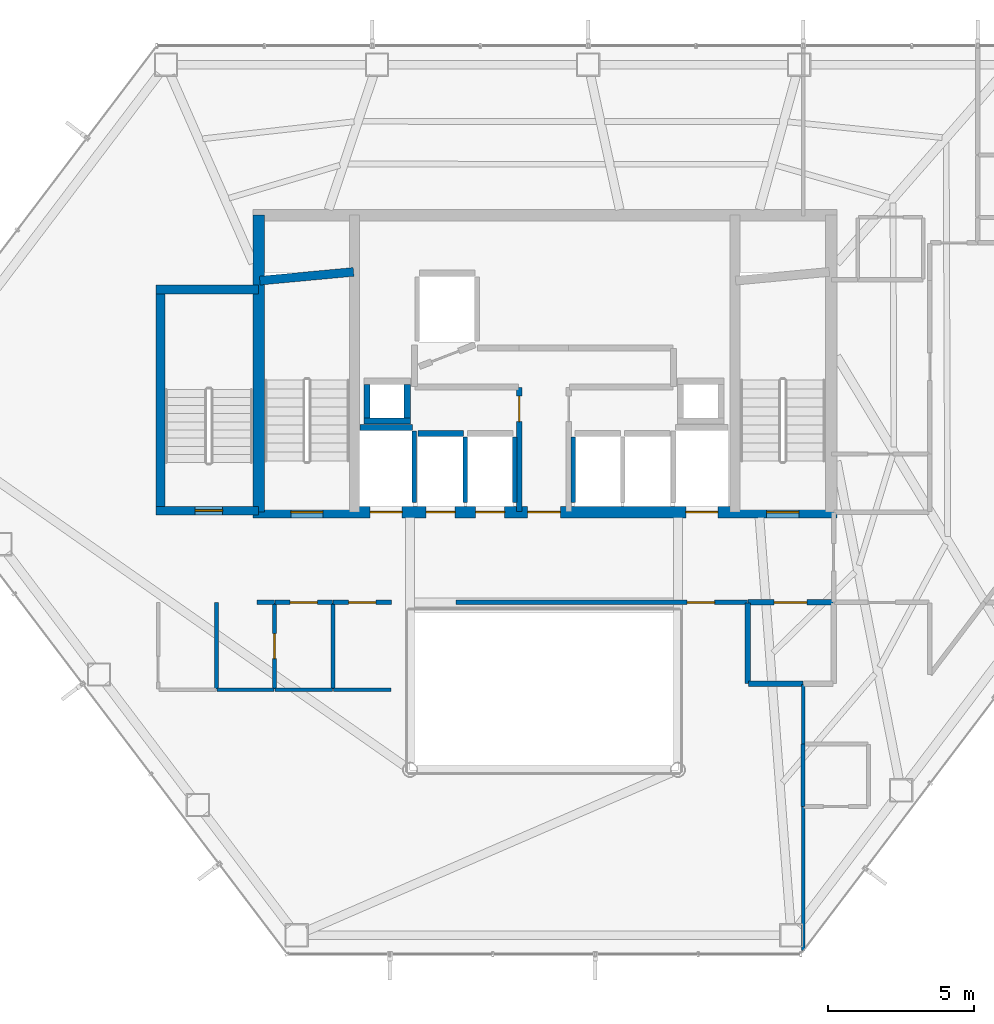
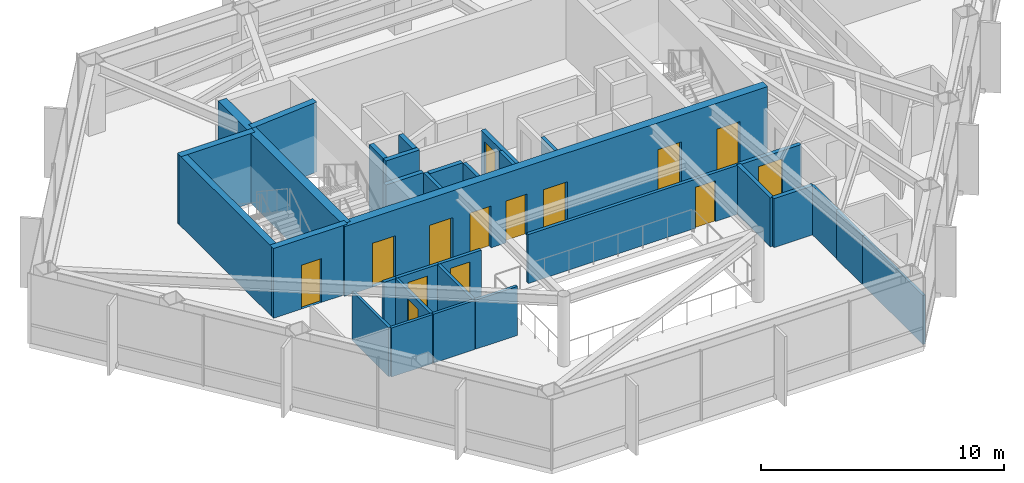
# One storey, part 25 of 28: 32 walls, 14 doors, 14 openings.
"""IFC4 building model written with IfcOpenShell, lengths in metres."""

from ifc_helpers import new_model, si_unit, direction, frame, frame_2d, origin, place, context, subcontext, project, spatial, rectangle, extrude, material, layer, layer_set, type_object, element, fill, save


model = new_model("IFC4")

# Units and contexts
model_context = context("Model", 3, precision=1e-05, world=origin(), true_north=direction((0.0, 1.0)))
body_context = subcontext(model_context, "Body", "Model", "MODEL_VIEW")
ifc_project = project(units=[si_unit("LENGTHUNIT", "METRE"), si_unit("AREAUNIT", "SQUARE_METRE"), si_unit("VOLUMEUNIT", "CUBIC_METRE"), si_unit("PLANEANGLEUNIT", "RADIAN"), si_unit("MASSUNIT", "GRAM", prefix="KILO")], contexts=[model_context])

# Site, building, storey
site_placement = place(None, origin())
site = spatial("IfcSite", under=ifc_project, at=site_placement, CompositionType="ELEMENT")
building_placement = place(site_placement, origin())
building = spatial("IfcBuilding", under=site, at=building_placement, Name="Zarrinselat Tower", CompositionType="ELEMENT")
storey_placement = place(building_placement, frame((0.0, 0.0, 123.419921875)))
storey = spatial("IfcBuildingStorey", under=building, at=storey_placement, Name="L29", CompositionType="ELEMENT", Elevation=123.419921875)

# Wall, opening, door
ifc_material_1 = material(Name="Concrete C40/50", Category="concrete")
ifc_layer_1 = layer(ifc_material_1, 0.18994140625)
ifc_layer_set_1 = layer_set([ifc_layer_1], Name="Concrete C40/50")
wall_type_1 = type_object("IfcWallType", Name="WAL-PART-EI120", PredefinedType="PARTITIONING", material=ifc_layer_set_1)
wall_1_placement = place(storey_placement, frame((45.405029296875, 30.14990234375, 0.0), z_axis=(0.0, 0.0, 1.0), x_axis=(1.0, 0.0, 0.0)))
wall_1 = element("IfcWall", 1, at=wall_1_placement, inside=storey, type_object=wall_type_1, Name="L29 Partition Wall 10", PredefinedType="PARTITIONING", context=body_context, shape_type="SweptSolid", body=[
    extrude(rectangle(XDim=2.925048828125, YDim=0.18994140625, at=frame_2d((1.46240234375, 0.0))), origin(), (0.0, 0.0, 1.0), 2.45703125),
])
opening_1_placement = place(wall_1_placement, frame((0.902587890625, 0.0, 0.0)))
opening_1 = element("IfcOpeningElement", 2, at=opening_1_placement, cuts=wall_1, Name="Opening ID-02", PredefinedType="OPENING", context=body_context, shape_type="SweptSolid", body=[
    extrude(rectangle(XDim=1.1201171875, YDim=2.050048828125, at=frame_2d((0.56005859375, 1.02490234375))), frame((0.0, 0.10498046875, 0.0), z_axis=(0.0, -1.0, 0.0), x_axis=(1.0, 0.0, 0.0)), (0.0, 0.0, 1.0), 0.2099609375),
])
ifc_material_2 = material(Name="Steel S355J2", Category="steel")
door_type_1 = type_object("IfcDoorType", Name="DR-INT-FD60-W", OperationType="NOTDEFINED", PredefinedType="DOOR", material=ifc_material_2)
door_1_placement = place(opening_1_placement, origin())
door_1 = element("IfcDoor", 3, at=door_1_placement, inside=storey, type_object=door_type_1, Name="L29 Interior Door P10", OperationType="SINGLE_SWING_RIGHT", OverallHeight=2.050048828125, OverallWidth=1.1201171875, PredefinedType="DOOR", context=body_context, shape_type="SweptSolid", body=[
    extrude(rectangle(XDim=1.1201171875, YDim=2.050048828125, at=frame_2d((0.56005859375, 1.02490234375))), frame((0.0, 0.02490234375, 0.0), z_axis=(0.0, -1.0, 0.0), x_axis=(1.0, 0.0, 0.0)), (0.0, 0.0, 1.0), 0.050048828125),
])
fill(opening_1, door_1)

# Walls
wall_2_placement = place(storey_placement, frame((45.419921875, 27.35009765625, 0.0), z_axis=(0.0, 0.0, 1.0), x_axis=(1.0, 0.0, 0.0)))
element("IfcWall", 4, at=wall_2_placement, inside=storey, type_object=wall_type_1, Name="L29 Partition Wall 16", PredefinedType="PARTITIONING", context=body_context, shape_type="SweptSolid", body=[
    extrude(rectangle(XDim=1.875, YDim=0.18994140625, at=frame_2d((0.9375, 0.0))), origin(), (0.0, 0.0, 1.0), 2.45703125),
])
wall_3_placement = place(storey_placement, frame((45.39990234375, 27.3701171875, 0.0), z_axis=(0.0, 0.0, 1.0), x_axis=(0.0, 1.0, 0.0)))
element("IfcWall", 5, at=wall_3_placement, inside=storey, type_object=wall_type_1, Name="L29 Partition Wall 17", PredefinedType="PARTITIONING", context=body_context, shape_type="SweptSolid", body=[
    extrude(rectangle(XDim=2.759765625, YDim=0.18994140625, at=frame_2d((1.3798828125, 0.0))), origin(), (0.0, 0.0, 1.0), 2.45703125),
])
ifc_material_3 = material(Name="Fire-Rated Gypsum Board Partition", Category="gypsum")
ifc_layer_2 = layer(ifc_material_3, 0.14990234375)
ifc_layer_set_2 = layer_set([ifc_layer_2], Name="Fire-Rated Gypsum Board Partition")
wall_type_2 = type_object("IfcWallType", Name="WAL-PART-EI60", PredefinedType="PARTITIONING", material=ifc_layer_set_2)
wall_4_placement = place(storey_placement, frame((28.550048828125, 30.14990234375, 0.0), z_axis=(0.0, 0.0, 1.0), x_axis=(1.0, 0.0, 0.0)))
element("IfcWall", 6, at=wall_4_placement, inside=storey, type_object=wall_type_2, Name="L29 Partition Wall 12", PredefinedType="PARTITIONING", context=body_context, shape_type="SweptSolid", body=[
    extrude(rectangle(XDim=0.594970703125, YDim=0.14990234375, at=frame_2d((0.29736328125, 0.0))), origin(), (0.0, 0.0, 1.0), 2.45703125),
])

# Wall, opening, door
wall_5_placement = place(storey_placement, frame((29.155029296875, 30.14990234375, 0.0), z_axis=(0.0, 0.0, 1.0), x_axis=(1.0, 0.0, 0.0)))
wall_5 = element("IfcWall", 7, at=wall_5_placement, inside=storey, type_object=wall_type_2, Name="L29 Partition Wall 13", PredefinedType="PARTITIONING", context=body_context, shape_type="SweptSolid", body=[
    extrude(rectangle(XDim=1.989990234375, YDim=0.14990234375, at=frame_2d((0.9951171875, 0.0))), origin(), (0.0, 0.0, 1.0), 2.45703125),
])
opening_2_placement = place(wall_5_placement, frame((0.52490234375, 0.0, 0.0)))
opening_2 = element("IfcOpeningElement", 8, at=opening_2_placement, cuts=wall_5, Name="Opening ID-04", PredefinedType="OPENING", context=body_context, shape_type="SweptSolid", body=[
    extrude(rectangle(XDim=0.93994140625, YDim=2.050048828125, at=frame_2d((0.469970703125, 1.02490234375))), frame((0.0, 0.0849609375, 0.0), z_axis=(0.0, -1.0, 0.0), x_axis=(1.0, 0.0, 0.0)), (0.0, 0.0, 1.0), 0.169921875),
])
ifc_material_4 = material(Name="Fire-Rated Gypsum Board Partition")
door_type_2 = type_object("IfcDoorType", Name="DR-INT-FD30-ENT", OperationType="NOTDEFINED", PredefinedType="DOOR", material=ifc_material_4)
door_2_placement = place(opening_2_placement, origin())
door_2 = element("IfcDoor", 9, at=door_2_placement, inside=storey, type_object=door_type_2, Name="L29 Interior Door P13", OperationType="SINGLE_SWING_RIGHT", OverallHeight=2.050048828125, OverallWidth=0.93994140625, PredefinedType="DOOR", context=body_context, shape_type="SweptSolid", body=[
    extrude(rectangle(XDim=0.93994140625, YDim=2.050048828125, at=frame_2d((0.469970703125, 1.02490234375))), frame((0.0, 0.02490234375, 0.0), z_axis=(0.0, -1.0, 0.0), x_axis=(1.0, 0.0, 0.0)), (0.0, 0.0, 1.0), 0.050048828125),
])
fill(opening_2, door_2)

wall_6_placement = place(storey_placement, frame((31.155029296875, 30.14990234375, 0.0), z_axis=(0.0, 0.0, 1.0), x_axis=(1.0, 0.0, 0.0)))
wall_6 = element("IfcWall", 10, at=wall_6_placement, inside=storey, type_object=wall_type_2, Name="L29 Partition Wall 14", PredefinedType="PARTITIONING", context=body_context, shape_type="SweptSolid", body=[
    extrude(rectangle(XDim=2.010009765625, YDim=0.14990234375, at=frame_2d((1.0048828125, 0.0))), origin(), (0.0, 0.0, 1.0), 2.45703125),
])
opening_3_placement = place(wall_6_placement, frame((0.534912109375, 0.0, 0.0)))
opening_3 = element("IfcOpeningElement", 11, at=opening_3_placement, cuts=wall_6, Name="Opening ID-04", PredefinedType="OPENING", context=body_context, shape_type="SweptSolid", body=[
    extrude(rectangle(XDim=0.93994140625, YDim=2.050048828125, at=frame_2d((0.469970703125, 1.02490234375))), frame((0.0, 0.0849609375, 0.0), z_axis=(0.0, -1.0, 0.0), x_axis=(1.0, 0.0, 0.0)), (0.0, 0.0, 1.0), 0.169921875),
])
door_3_placement = place(opening_3_placement, origin())
door_3 = element("IfcDoor", 12, at=door_3_placement, inside=storey, type_object=door_type_2, Name="L29 Interior Door P14", OperationType="SINGLE_SWING_LEFT", OverallHeight=2.050048828125, OverallWidth=0.93994140625, PredefinedType="DOOR", context=body_context, shape_type="SweptSolid", body=[
    extrude(rectangle(XDim=0.93994140625, YDim=2.050048828125, at=frame_2d((0.469970703125, 1.02490234375))), frame((0.0, 0.02490234375, 0.0), z_axis=(0.0, -1.0, 0.0), x_axis=(1.0, 0.0, 0.0)), (0.0, 0.0, 1.0), 0.050048828125),
])
fill(opening_3, door_3)

wall_7_placement = place(storey_placement, frame((35.385009765625, 30.14990234375, 0.0), z_axis=(0.0, 0.0, 1.0), x_axis=(1.0, 0.0, 0.0)))
wall_7 = element("IfcWall", 13, at=wall_7_placement, inside=storey, type_object=wall_type_2, Name="L29 Partition Wall 15", PredefinedType="PARTITIONING", context=body_context, shape_type="SweptSolid", body=[
    extrude(rectangle(XDim=10.010009765625, YDim=0.14990234375, at=frame_2d((5.0048828125, 0.0))), origin(), (0.0, 0.0, 1.0), 2.45703125),
])
opening_4_placement = place(wall_7_placement, frame((7.93505859375, 0.0, 0.0)))
opening_4 = element("IfcOpeningElement", 14, at=opening_4_placement, cuts=wall_7, Name="Opening ID-04", PredefinedType="OPENING", context=body_context, shape_type="SweptSolid", body=[
    extrude(rectangle(XDim=0.93994140625, YDim=2.050048828125, at=frame_2d((0.469970703125, 1.02490234375))), frame((0.0, 0.0849609375, 0.0), z_axis=(0.0, -1.0, 0.0), x_axis=(1.0, 0.0, 0.0)), (0.0, 0.0, 1.0), 0.169921875),
])
door_4_placement = place(opening_4_placement, origin())
door_4 = element("IfcDoor", 15, at=door_4_placement, inside=storey, type_object=door_type_2, Name="L29 Interior Door P15", OperationType="SINGLE_SWING_RIGHT", OverallHeight=2.050048828125, OverallWidth=0.93994140625, PredefinedType="DOOR", context=body_context, shape_type="SweptSolid", body=[
    extrude(rectangle(XDim=0.93994140625, YDim=2.050048828125, at=frame_2d((0.469970703125, 1.02490234375))), frame((0.0, 0.02490234375, 0.0), z_axis=(0.0, -1.0, 0.0), x_axis=(1.0, 0.0, 0.0)), (0.0, 0.0, 1.0), 0.050048828125),
])
fill(opening_4, door_4)

ifc_material_5 = material(Name="Concrete C40/50", Category="concrete")
ifc_layer_3 = layer(ifc_material_5, 0.199951171875)
ifc_layer_set_3 = layer_set([ifc_layer_3], Name="Concrete C40/50")
wall_type_3 = type_object("IfcWallType", Name="WAL-PART-PLANT", PredefinedType="PARTITIONING", material=ifc_layer_set_3)
wall_8_placement = place(storey_placement, frame((37.550048828125, 33.264892578125, 0.0), z_axis=(0.0, 0.0, 1.0), x_axis=(0.0, 1.0, 0.0)))
wall_8 = element("IfcWall", 16, at=wall_8_placement, inside=storey, type_object=wall_type_3, Name="L29 Partition Wall 1", PredefinedType="PARTITIONING", context=body_context, shape_type="SweptSolid", body=[
    extrude(rectangle(XDim=4.26513671875, YDim=0.199951171875, at=frame_2d((2.132568359375, 0.0))), origin(), (0.0, 0.0, 1.0), 2.45703125),
])
opening_5_placement = place(wall_8_placement, frame((3.092529296875, 0.0, 0.0)))
opening_5 = element("IfcOpeningElement", 17, at=opening_5_placement, cuts=wall_8, Name="Opening ID-03", PredefinedType="OPENING", context=body_context, shape_type="SweptSolid", body=[
    extrude(rectangle(XDim=0.8798828125, YDim=2.050048828125, at=frame_2d((0.43994140625, 1.02490234375))), frame((0.0, 0.10986328125, 0.0), z_axis=(0.0, -1.0, 0.0), x_axis=(1.0, 0.0, 0.0)), (0.0, 0.0, 1.0), 0.219970703125),
])
ifc_material_6 = material(Name="Steel S355J2", Category="steel")
door_type_3 = type_object("IfcDoorType", Name="DR-INT-FD60-S", OperationType="NOTDEFINED", PredefinedType="DOOR", material=ifc_material_6)
door_5_placement = place(opening_5_placement, origin())
door_5 = element("IfcDoor", 18, at=door_5_placement, inside=storey, type_object=door_type_3, Name="L29 Interior Door P1", OperationType="SINGLE_SWING_RIGHT", OverallHeight=2.050048828125, OverallWidth=0.8798828125, PredefinedType="DOOR", context=body_context, shape_type="SweptSolid", body=[
    extrude(rectangle(XDim=0.8798828125, YDim=2.050048828125, at=frame_2d((0.43994140625, 1.02490234375))), frame((0.0, 0.02490234375, 0.0), z_axis=(0.0, -1.0, 0.0), x_axis=(1.0, 0.0, 0.0)), (0.0, 0.0, 1.0), 0.050048828125),
])
fill(opening_5, door_5)

# Walls
ifc_material_7 = material(Name="Fire-Rated Gypsum Board Partition", Category="gypsum")
ifc_layer_4 = layer(ifc_material_7, 0.1201171875)
ifc_layer_set_4 = layer_set([ifc_layer_4], Name="Fire-Rated Gypsum Board Partition")
wall_type_4 = type_object("IfcWallType", Name="WAL-PART-STD", PredefinedType="PARTITIONING", material=ifc_layer_set_4)
wall_9_placement = place(storey_placement, frame((47.300048828125, 25.2919921875, 0.0), z_axis=(0.0, 0.0, 1.0), x_axis=(0.0, 1.0, 0.0)))
element("IfcWall", 19, at=wall_9_placement, inside=storey, type_object=wall_type_4, Name="L29 Partition Wall 42", PredefinedType="PARTITIONING", context=body_context, shape_type="SweptSolid", body=[
    extrude(rectangle(XDim=2.0380859375, YDim=0.1201171875, at=frame_2d((1.01904296875, 0.0))), origin(), (0.0, 0.0, 1.0), 2.45703125),
])
wall_10_placement = place(storey_placement, frame((47.300048828125, 18.189697265625, 0.0), z_axis=(0.0, 0.0, 1.0), x_axis=(0.0, 1.0, 0.0)))
element("IfcWall", 20, at=wall_10_placement, inside=storey, type_object=wall_type_4, Name="L29 Partition Wall 43", PredefinedType="PARTITIONING", context=body_context, shape_type="SweptSolid", body=[
    extrude(rectangle(XDim=4.9423828125, YDim=0.1201171875, at=frame_2d((2.47119140625, 0.0))), origin(), (0.0, 0.0, 1.0), 2.45703125),
])
ifc_material_8 = material(Name="Fire-Rated Gypsum Board Partition", Category="gypsum")
ifc_layer_5 = layer(ifc_material_8, 0.135009765625)
ifc_layer_set_5 = layer_set([ifc_layer_5], Name="Fire-Rated Gypsum Board Partition")
wall_type_5 = type_object("IfcWallType", Name="WAL-PART-WET", PredefinedType="PARTITIONING", material=ifc_layer_set_5)
wall_11_placement = place(storey_placement, frame((27.14990234375, 27.169921875, 0.0), z_axis=(0.0, 0.0, 1.0), x_axis=(0.0, 1.0, 0.0)))
element("IfcWall", 21, at=wall_11_placement, inside=storey, type_object=wall_type_5, Name="L29 Partition Wall 34", PredefinedType="PARTITIONING", context=body_context, shape_type="SweptSolid", body=[
    extrude(rectangle(XDim=2.97998046875, YDim=0.135009765625, at=frame_2d((1.489990234375, 0.0))), origin(), (0.0, 0.0, 1.0), 2.45703125),
])

# Wall, opening, door
wall_12_placement = place(storey_placement, frame((29.14990234375, 27.169921875, 0.0), z_axis=(0.0, 0.0, 1.0), x_axis=(0.0, 1.0, 0.0)))
wall_12 = element("IfcWall", 22, at=wall_12_placement, inside=storey, type_object=wall_type_5, Name="L29 Partition Wall 37", PredefinedType="PARTITIONING", context=body_context, shape_type="SweptSolid", body=[
    extrude(rectangle(XDim=2.9599609375, YDim=0.135009765625, at=frame_2d((1.47998046875, 0.0))), origin(), (0.0, 0.0, 1.0), 2.45703125),
])
opening_6_placement = place(wall_12_placement, frame((1.050048828125, 0.0, 0.0)))
opening_6 = element("IfcOpeningElement", 23, at=opening_6_placement, cuts=wall_12, Name="Opening ID-06", PredefinedType="OPENING", context=body_context, shape_type="SweptSolid", body=[
    extrude(rectangle(XDim=0.860107421875, YDim=2.050048828125, at=frame_2d((0.43017578125, 1.02490234375))), frame((0.0, 0.077392578125, 0.0), z_axis=(0.0, -1.0, 0.0), x_axis=(1.0, 0.0, 0.0)), (0.0, 0.0, 1.0), 0.155029296875),
])
ifc_material_9 = material(Name="Extruded Aluminium Alloy EN AW-6063 T6", Category="aluminium")
door_type_4 = type_object("IfcDoorType", Name="DR-INT-WET-900", OperationType="NOTDEFINED", PredefinedType="DOOR", material=ifc_material_9)
door_6_placement = place(opening_6_placement, origin())
door_6 = element("IfcDoor", 24, at=door_6_placement, inside=storey, type_object=door_type_4, Name="L29 Interior Door P37", OperationType="SINGLE_SWING_LEFT", OverallHeight=2.050048828125, OverallWidth=0.860107421875, PredefinedType="DOOR", context=body_context, shape_type="SweptSolid", body=[
    extrude(rectangle(XDim=0.860107421875, YDim=2.050048828125, at=frame_2d((0.43017578125, 1.02490234375))), frame((0.0, 0.02490234375, 0.0), z_axis=(0.0, -1.0, 0.0), x_axis=(1.0, 0.0, 0.0)), (0.0, 0.0, 1.0), 0.050048828125),
])
fill(opening_6, door_6)

# Walls
wall_13_placement = place(storey_placement, frame((27.169921875, 27.14990234375, 0.0), z_axis=(0.0, 0.0, 1.0), x_axis=(1.0, 0.0, 0.0)))
element("IfcWall", 25, at=wall_13_placement, inside=storey, type_object=wall_type_5, Name="L29 Partition Wall 38", PredefinedType="PARTITIONING", context=body_context, shape_type="SweptSolid", body=[
    extrude(rectangle(XDim=1.9599609375, YDim=0.135009765625, at=frame_2d((0.97998046875, 0.0))), origin(), (0.0, 0.0, 1.0), 2.45703125),
])
wall_14_placement = place(storey_placement, frame((31.14990234375, 27.169921875, 0.0), z_axis=(0.0, 0.0, 1.0), x_axis=(0.0, 1.0, 0.0)))
element("IfcWall", 26, at=wall_14_placement, inside=storey, type_object=wall_type_5, Name="L29 Partition Wall 39", PredefinedType="PARTITIONING", context=body_context, shape_type="SweptSolid", body=[
    extrude(rectangle(XDim=2.9599609375, YDim=0.135009765625, at=frame_2d((1.47998046875, 0.0))), origin(), (0.0, 0.0, 1.0), 2.45703125),
])
wall_15_placement = place(storey_placement, frame((29.169921875, 27.14990234375, 0.0), z_axis=(0.0, 0.0, 1.0), x_axis=(1.0, 0.0, 0.0)))
element("IfcWall", 27, at=wall_15_placement, inside=storey, type_object=wall_type_5, Name="L29 Partition Wall 40", PredefinedType="PARTITIONING", context=body_context, shape_type="SweptSolid", body=[
    extrude(rectangle(XDim=1.9599609375, YDim=0.135009765625, at=frame_2d((0.97998046875, 0.0))), origin(), (0.0, 0.0, 1.0), 2.45703125),
])
wall_16_placement = place(storey_placement, frame((31.169921875, 27.14990234375, 0.0), z_axis=(0.0, 0.0, 1.0), x_axis=(1.0, 0.0, 0.0)))
element("IfcWall", 28, at=wall_16_placement, inside=storey, type_object=wall_type_5, Name="L29 Partition Wall 41", PredefinedType="PARTITIONING", context=body_context, shape_type="SweptSolid", body=[
    extrude(rectangle(XDim=1.97998046875, YDim=0.135009765625, at=frame_2d((0.989990234375, 0.0))), origin(), (0.0, 0.0, 1.0), 2.45703125),
])
wall_17_placement = place(storey_placement, frame((47.300048828125, 23.14208984375, 0.0), z_axis=(0.0, 0.0, 1.0), x_axis=(0.0, 1.0, 0.0)))
element("IfcWall", 29, at=wall_17_placement, inside=storey, type_object=wall_type_5, Name="L29 Partition Wall 44", PredefinedType="PARTITIONING", context=body_context, shape_type="SweptSolid", body=[
    extrude(rectangle(XDim=2.139892578125, YDim=0.135009765625, at=frame_2d((1.06982421875, 0.0))), origin(), (0.0, 0.0, 1.0), 2.45703125),
])
ifc_material_10 = material(Name="Concrete C40/50", Category="concrete")
ifc_layer_6 = layer(ifc_material_10, 0.2099609375)
ifc_layer_set_6 = layer_set([ifc_layer_6], Name="Concrete C40/50")
wall_type_6 = type_object("IfcWallType", Name="WAL-SHAFT-210", PredefinedType="SOLIDWALL", material=ifc_layer_set_6)
wall_18_placement = place(storey_placement, frame((32.080078125, 36.155029296875, 0.0), z_axis=(0.0, 0.0, 1.0), x_axis=(1.0, 0.0, 0.0)))
element("IfcWall", 30, at=wall_18_placement, inside=storey, type_object=wall_type_6, Name="L29 Lift FFL1 North Shaft Wall", PredefinedType="SOLIDWALL", context=body_context, shape_type="SweptSolid", body=[
    extrude(rectangle(XDim=1.7998046875, YDim=0.2099609375, at=frame_2d((0.89990234375, 0.0))), origin(), (0.0, 0.0, 1.0), 2.47216796875),
])
wall_19_placement = place(storey_placement, frame((33.949951171875, 33.580078125, 0.0), z_axis=(0.0, 0.0, 1.0), x_axis=(0.0, 1.0, 0.0)))
element("IfcWall", 31, at=wall_19_placement, inside=storey, type_object=wall_type_6, Name="L29 Lift FFL1 E Shaft Wall", PredefinedType="SOLIDWALL", context=body_context, shape_type="SweptSolid", body=[
    extrude(rectangle(XDim=2.449951171875, YDim=0.159912109375, at=frame_2d((1.22509765625, 0.0))), origin(), (0.0, 0.0, 1.0), 2.47216796875),
])
wall_20_placement = place(storey_placement, frame((34.070068359375, 35.955078125, 0.0), z_axis=(0.0, 0.0, 1.0), x_axis=(1.0, 0.0, 0.0)))
element("IfcWall", 32, at=wall_20_placement, inside=storey, type_object=wall_type_6, Name="L29 Lift PL5 North Shaft Wall", PredefinedType="SOLIDWALL", context=body_context, shape_type="SweptSolid", body=[
    extrude(rectangle(XDim=1.559814453125, YDim=0.2099609375, at=frame_2d((0.77978515625, 0.0))), origin(), (0.0, 0.0, 1.0), 2.47216796875),
])
for number, where, z_axis, x_axis, name in (
    (33, (35.699951171875, 33.580078125, 0.0), (0.0, 0.0, 1.0), (0.0, 1.0, 0.0), "L29 Lift PL5 E Shaft Wall"),
    (34, (37.39990234375, 33.580078125, 0.0), (0.0, 0.0, 1.0), (0.0, 1.0, 0.0), "L29 Lift PL6 E Shaft Wall"),
    (35, (39.39990234375, 33.580078125, 0.0), (0.0, 0.0, 1.0), (0.0, 1.0, 0.0), "L29 Lift PL8 W Shaft Wall"),
):
    element("IfcWall", number, at=place(storey_placement, frame(where, z_axis=z_axis, x_axis=x_axis)), inside=storey, type_object=wall_type_6, Name=name, PredefinedType="SOLIDWALL", context=body_context, shape_type="SweptSolid", body=[
        extrude(rectangle(XDim=2.25, YDim=0.159912109375, at=frame_2d((1.125, 0.0))), origin(), (0.0, 0.0, 1.0), 2.47216796875),
    ])
wall_21_placement = place(storey_placement, frame((32.2099609375, 36.375, 0.0), z_axis=(0.0, 0.0, 1.0), x_axis=(1.0, 0.0, 0.0)))
element("IfcWall", 36, at=wall_21_placement, inside=storey, type_object=wall_type_6, Name="L29 Core Riser RSR-W S Shaft Wall", PredefinedType="SOLIDWALL", context=body_context, shape_type="SweptSolid", body=[
    extrude(rectangle(XDim=1.60009765625, YDim=0.2099609375, at=frame_2d((0.800048828125, 0.0))), origin(), (0.0, 0.0, 1.0), 3.5),
])
for number, where, z_axis, x_axis, name in (
    (37, (32.31494140625, 36.485107421875, 0.0), (0.0, 0.0, 1.0), (0.0, 1.0, 0.0), "L29 Core Riser RSR-W W Shaft Wall"),
    (38, (33.705078125, 36.485107421875, 0.0), (0.0, 0.0, 1.0), (0.0, 1.0, 0.0), "L29 Core Riser RSR-W E Shaft Wall"),
):
    element("IfcWall", number, at=place(storey_placement, frame(where, z_axis=z_axis, x_axis=x_axis)), inside=storey, type_object=wall_type_6, Name=name, PredefinedType="SOLIDWALL", context=body_context, shape_type="SweptSolid", body=[
        extrude(rectangle(XDim=1.14990234375, YDim=0.2099609375, at=frame_2d((0.574951171875, 0.0))), origin(), (0.0, 0.0, 1.0), 3.5),
    ])
ifc_material_11 = material(Name="Concrete C40/50", Category="concrete")
ifc_layer_7 = layer(ifc_material_11, 0.300048828125)
ifc_layer_set_7 = layer_set([ifc_layer_7], Name="Concrete C40/50")
wall_type_7 = type_object("IfcWallType", Name="WAL-SHEAR-300", PredefinedType="SHEAR", material=ifc_layer_set_7)
wall_22_placement = place(storey_placement, frame((28.639892578125, 41.199951171875, 0.0), z_axis=(0.0, 0.0, 1.0), x_axis=(0.995687118776, 0.092774789157, 0.0)))
element("IfcWall", 39, at=wall_22_placement, inside=storey, type_object=wall_type_7, Name="L29 Stair 1 North Shaft Wall", PredefinedType="SHEAR", context=body_context, shape_type="SweptSolid", body=[
    extrude(rectangle(XDim=3.234130859375, YDim=0.300048828125, at=frame_2d((1.6171875, 0.0))), origin(), (0.0, 0.0, 1.0), 3.5),
])
wall_23_placement = place(storey_placement, frame((25.080078125, 40.89990234375, 0.0), z_axis=(0.0, 0.0, 1.0), x_axis=(1.0, 0.0, 0.0)))
element("IfcWall", 40, at=wall_23_placement, inside=storey, type_object=wall_type_7, Name="L29 Stair 3 North Shear Wall", PredefinedType="SHEAR", context=body_context, shape_type="SweptSolid", body=[
    extrude(rectangle(XDim=3.52001953125, YDim=0.300048828125, at=frame_2d((1.760009765625, 0.0))), origin(), (0.0, 0.0, 1.0), 3.5),
])

# Wall, opening, door
wall_24_placement = place(storey_placement, frame((25.080078125, 33.300048828125, 0.0), z_axis=(0.0, 0.0, 1.0), x_axis=(1.0, 0.0, 0.0)))
wall_24 = element("IfcWall", 41, at=wall_24_placement, inside=storey, type_object=wall_type_7, Name="L29 Stair 3 South Shear Wall", PredefinedType="SHEAR", context=body_context, shape_type="SweptSolid", body=[
    extrude(rectangle(XDim=3.52001953125, YDim=0.300048828125, at=frame_2d((1.760009765625, 0.0))), origin(), (0.0, 0.0, 1.0), 3.5),
])
opening_7_placement = place(wall_24_placement, frame((1.3349609375, 0.0, 0.0)))
opening_7 = element("IfcOpeningElement", 42, at=opening_7_placement, cuts=wall_24, Name="Opening SD-02", PredefinedType="OPENING", context=body_context, shape_type="SweptSolid", body=[
    extrude(rectangle(XDim=0.949951171875, YDim=2.199951171875, at=frame_2d((0.47509765625, 1.10009765625))), frame((0.0, 0.159912109375, 0.0), z_axis=(0.0, -1.0, 0.0), x_axis=(1.0, 0.0, 0.0)), (0.0, 0.0, 1.0), 0.320068359375),
])
ifc_material_12 = material(Name="Steel S355J2", Category="steel")
door_type_5 = type_object("IfcDoorType", Name="DR-STAIR-1050", OperationType="NOTDEFINED", PredefinedType="DOOR", material=ifc_material_12)
door_7_placement = place(opening_7_placement, origin())
door_7 = element("IfcDoor", 43, at=door_7_placement, inside=storey, type_object=door_type_5, Name="L29 Exit Stair 3 Fire Door", OperationType="SINGLE_SWING_LEFT", OverallHeight=2.199951171875, OverallWidth=0.949951171875, PredefinedType="DOOR", context=body_context, shape_type="SweptSolid", body=[
    extrude(rectangle(XDim=0.949951171875, YDim=2.199951171875, at=frame_2d((0.47509765625, 1.10009765625))), frame((0.0, 0.02490234375, 0.0), z_axis=(0.0, -1.0, 0.0), x_axis=(1.0, 0.0, 0.0)), (0.0, 0.0, 1.0), 0.050048828125),
])
fill(opening_7, door_7)

# Wall
wall_25_placement = place(storey_placement, frame((25.22998046875, 33.300048828125, 0.0), z_axis=(0.0, 0.0, 1.0), x_axis=(0.0, 1.0, 0.0)))
element("IfcWall", 44, at=wall_25_placement, inside=storey, type_object=wall_type_7, Name="L29 Stair 3 West Shear Wall", PredefinedType="SHEAR", context=body_context, shape_type="SweptSolid", body=[
    extrude(rectangle(XDim=7.599853515625, YDim=0.300048828125, at=frame_2d((3.7998046875, 0.0))), origin(), (0.0, 0.0, 1.0), 3.5),
])

# Wall, openings, doors
ifc_material_13 = material(Name="Concrete C60/75", Category="concrete")
ifc_layer_8 = layer(ifc_material_13, 0.39990234375)
ifc_layer_set_8 = layer_set([ifc_layer_8], Name="Concrete C60/75")
wall_type_8 = type_object("IfcWallType", Name="WAL-SHEAR-400", PredefinedType="SHEAR", material=ifc_layer_set_8)
wall_26_placement = place(storey_placement, frame((28.39990234375, 33.25, 0.0), z_axis=(0.0, 0.0, 1.0), x_axis=(1.0, 0.0, 0.0)))
wall_26 = element("IfcWall", 45, at=wall_26_placement, inside=storey, type_object=wall_type_8, Name="L29 South Core Shear Wall", PredefinedType="SHEAR", context=body_context, shape_type="SweptSolid", body=[
    extrude(rectangle(XDim=20.06005859375, YDim=0.39990234375, at=frame_2d((10.030029296875, 0.0))), origin(), (0.0, 0.0, 1.0), 3.5),
])
opening_8_placement = place(wall_26_placement, frame((4.030029296875, 0.0, 0.0)))
opening_8 = element("IfcOpeningElement", 46, at=opening_8_placement, cuts=wall_26, Name="Opening LD-FFL1", PredefinedType="OPENING", context=body_context, shape_type="SweptSolid", body=[
    extrude(rectangle(XDim=1.10009765625, YDim=2.14990234375, at=frame_2d((0.550048828125, 1.074951171875))), frame((0.0, 0.2099609375, 0.0), z_axis=(0.0, -1.0, 0.0), x_axis=(1.0, 0.0, 0.0)), (0.0, 0.0, 1.0), 0.419921875),
])
opening_9_placement = place(wall_26_placement, frame((14.8701171875, 0.0, 0.0)))
opening_9 = element("IfcOpeningElement", 47, at=opening_9_placement, cuts=wall_26, Name="Opening LD-FFL2", PredefinedType="OPENING", context=body_context, shape_type="SweptSolid", body=[
    extrude(rectangle(XDim=1.10009765625, YDim=2.14990234375, at=frame_2d((0.550048828125, 1.074951171875))), frame((0.0, 0.2099609375, 0.0), z_axis=(0.0, -1.0, 0.0), x_axis=(1.0, 0.0, 0.0)), (0.0, 0.0, 1.0), 0.419921875),
])
opening_10_placement = place(wall_26_placement, frame((5.949951171875, 0.0, 0.0)))
opening_10 = element("IfcOpeningElement", 48, at=opening_10_placement, cuts=wall_26, Name="Opening LD-PL5", PredefinedType="OPENING", context=body_context, shape_type="SweptSolid", body=[
    extrude(rectangle(XDim=1.0, YDim=2.10009765625, at=frame_2d((0.5, 1.050048828125))), frame((0.0, 0.2099609375, 0.0), z_axis=(0.0, -1.0, 0.0), x_axis=(1.0, 0.0, 0.0)), (0.0, 0.0, 1.0), 0.419921875),
])
opening_11_placement = place(wall_26_placement, frame((7.64990234375, 0.0, 0.0)))
opening_11 = element("IfcOpeningElement", 49, at=opening_11_placement, cuts=wall_26, Name="Opening LD-PL6", PredefinedType="OPENING", context=body_context, shape_type="SweptSolid", body=[
    extrude(rectangle(XDim=1.0, YDim=2.10009765625, at=frame_2d((0.5, 1.050048828125))), frame((0.0, 0.2099609375, 0.0), z_axis=(0.0, -1.0, 0.0), x_axis=(1.0, 0.0, 0.0)), (0.0, 0.0, 1.0), 0.419921875),
])
opening_12_placement = place(wall_26_placement, frame((1.31005859375, 0.0, 0.0)))
opening_12 = element("IfcOpeningElement", 50, at=opening_12_placement, cuts=wall_26, Name="Opening SD-01", PredefinedType="OPENING", context=body_context, shape_type="SweptSolid", body=[
    extrude(rectangle(XDim=1.10009765625, YDim=2.199951171875, at=frame_2d((0.550048828125, 1.10009765625))), frame((0.0, 0.2099609375, 0.0), z_axis=(0.0, -1.0, 0.0), x_axis=(1.0, 0.0, 0.0)), (0.0, 0.0, 1.0), 0.419921875),
])
opening_13_placement = place(wall_26_placement, frame((9.43994140625, 0.0, 0.0)))
opening_13 = element("IfcOpeningElement", 51, at=opening_13_placement, cuts=wall_26, Name="Opening ID-02", PredefinedType="OPENING", context=body_context, shape_type="SweptSolid", body=[
    extrude(rectangle(XDim=1.1201171875, YDim=2.050048828125, at=frame_2d((0.56005859375, 1.02490234375))), frame((0.0, 0.2099609375, 0.0), z_axis=(0.0, -1.0, 0.0), x_axis=(1.0, 0.0, 0.0)), (0.0, 0.0, 1.0), 0.419921875),
])
opening_14_placement = place(wall_26_placement, frame((17.64990234375, 0.0, 0.0)))
opening_14 = element("IfcOpeningElement", 52, at=opening_14_placement, cuts=wall_26, Name="Opening SD-01", PredefinedType="OPENING", context=body_context, shape_type="SweptSolid", body=[
    extrude(rectangle(XDim=1.10009765625, YDim=2.199951171875, at=frame_2d((0.550048828125, 1.10009765625))), frame((0.0, 0.2099609375, 0.0), z_axis=(0.0, -1.0, 0.0), x_axis=(1.0, 0.0, 0.0)), (0.0, 0.0, 1.0), 0.419921875),
])
door_8_placement = place(opening_13_placement, origin())
door_8 = element("IfcDoor", 53, at=door_8_placement, inside=storey, type_object=door_type_1, Name="L29 Core Service Vestibule Fire Door", OperationType="SINGLE_SWING_LEFT", OverallHeight=2.050048828125, OverallWidth=1.1201171875, PredefinedType="DOOR", context=body_context, shape_type="SweptSolid", body=[
    extrude(rectangle(XDim=1.1201171875, YDim=2.050048828125, at=frame_2d((0.56005859375, 1.02490234375))), frame((0.0, 0.02490234375, 0.0), z_axis=(0.0, -1.0, 0.0), x_axis=(1.0, 0.0, 0.0)), (0.0, 0.0, 1.0), 0.050048828125),
])
fill(opening_13, door_8)
ifc_material_14 = material(Name="Steel S355J2", Category="steel")
door_type_6 = type_object("IfcDoorType", Name="DR-LIFT-FF-1100", OperationType="NOTDEFINED", PredefinedType="DOOR", material=ifc_material_14)
door_9_placement = place(opening_8_placement, origin())
door_9 = element("IfcDoor", 54, at=door_9_placement, inside=storey, type_object=door_type_6, Name="L29 Lift FFL1 Sliding Landing Door", OperationType="SLIDING_TO_LEFT", OverallHeight=2.14990234375, OverallWidth=1.10009765625, PredefinedType="DOOR", context=body_context, shape_type="SweptSolid", body=[
    extrude(rectangle(XDim=1.10009765625, YDim=2.14990234375, at=frame_2d((0.550048828125, 1.074951171875))), frame((0.0, 0.02490234375, 0.0), z_axis=(0.0, -1.0, 0.0), x_axis=(1.0, 0.0, 0.0)), (0.0, 0.0, 1.0), 0.050048828125),
])
fill(opening_8, door_9)
door_10_placement = place(opening_9_placement, origin())
door_10 = element("IfcDoor", 55, at=door_10_placement, inside=storey, type_object=door_type_6, Name="L29 Lift FFL2 Sliding Landing Door", OperationType="SLIDING_TO_RIGHT", OverallHeight=2.14990234375, OverallWidth=1.10009765625, PredefinedType="DOOR", context=body_context, shape_type="SweptSolid", body=[
    extrude(rectangle(XDim=1.10009765625, YDim=2.14990234375, at=frame_2d((0.550048828125, 1.074951171875))), frame((0.0, 0.02490234375, 0.0), z_axis=(0.0, -1.0, 0.0), x_axis=(1.0, 0.0, 0.0)), (0.0, 0.0, 1.0), 0.050048828125),
])
fill(opening_9, door_10)
ifc_material_15 = material(Name="Steel S355J2", Category="steel")
door_type_7 = type_object("IfcDoorType", Name="DR-LIFT-PS-1000", OperationType="NOTDEFINED", PredefinedType="DOOR", material=ifc_material_15)
door_11_placement = place(opening_10_placement, origin())
door_11 = element("IfcDoor", 56, at=door_11_placement, inside=storey, type_object=door_type_7, Name="L29 Lift PL5 Sliding Landing Door", OperationType="SLIDING_TO_LEFT", OverallHeight=2.10009765625, OverallWidth=1.0, PredefinedType="DOOR", context=body_context, shape_type="SweptSolid", body=[
    extrude(rectangle(XDim=1.0, YDim=2.10009765625, at=frame_2d((0.5, 1.050048828125))), frame((0.0, 0.02490234375, 0.0), z_axis=(0.0, -1.0, 0.0), x_axis=(1.0, 0.0, 0.0)), (0.0, 0.0, 1.0), 0.050048828125),
])
fill(opening_10, door_11)
door_12_placement = place(opening_11_placement, origin())
door_12 = element("IfcDoor", 57, at=door_12_placement, inside=storey, type_object=door_type_7, Name="L29 Lift PL6 Sliding Landing Door", OperationType="SLIDING_TO_RIGHT", OverallHeight=2.10009765625, OverallWidth=1.0, PredefinedType="DOOR", context=body_context, shape_type="SweptSolid", body=[
    extrude(rectangle(XDim=1.0, YDim=2.10009765625, at=frame_2d((0.5, 1.050048828125))), frame((0.0, 0.02490234375, 0.0), z_axis=(0.0, -1.0, 0.0), x_axis=(1.0, 0.0, 0.0)), (0.0, 0.0, 1.0), 0.050048828125),
])
fill(opening_11, door_12)
ifc_material_16 = material(Name="Steel S355J2", Category="steel")
door_type_8 = type_object("IfcDoorType", Name="DR-STAIR-1100", OperationType="NOTDEFINED", PredefinedType="DOOR", material=ifc_material_16)
door_13_placement = place(opening_12_placement, origin())
door_13 = element("IfcDoor", 58, at=door_13_placement, inside=storey, type_object=door_type_8, Name="L29 Exit Stair 1 Fire Door", OperationType="SINGLE_SWING_LEFT", OverallHeight=2.199951171875, OverallWidth=1.10009765625, PredefinedType="DOOR", context=body_context, shape_type="SweptSolid", body=[
    extrude(rectangle(XDim=1.10009765625, YDim=2.199951171875, at=frame_2d((0.550048828125, 1.10009765625))), frame((0.0, 0.02490234375, 0.0), z_axis=(0.0, -1.0, 0.0), x_axis=(1.0, 0.0, 0.0)), (0.0, 0.0, 1.0), 0.050048828125),
])
fill(opening_12, door_13)
door_14_placement = place(opening_14_placement, origin())
door_14 = element("IfcDoor", 59, at=door_14_placement, inside=storey, type_object=door_type_8, Name="L29 Exit Stair 2 Fire Door", OperationType="SINGLE_SWING_RIGHT", OverallHeight=2.199951171875, OverallWidth=1.10009765625, PredefinedType="DOOR", context=body_context, shape_type="SweptSolid", body=[
    extrude(rectangle(XDim=1.10009765625, YDim=2.199951171875, at=frame_2d((0.550048828125, 1.10009765625))), frame((0.0, 0.02490234375, 0.0), z_axis=(0.0, -1.0, 0.0), x_axis=(1.0, 0.0, 0.0)), (0.0, 0.0, 1.0), 0.050048828125),
])
fill(opening_14, door_14)

# Wall
wall_27_placement = place(storey_placement, frame((28.60009765625, 33.25, 0.0), z_axis=(0.0, 0.0, 1.0), x_axis=(0.0, 1.0, 0.0)))
element("IfcWall", 60, at=wall_27_placement, inside=storey, type_object=wall_type_8, Name="L29 Core Shear Wall W", PredefinedType="SHEAR", context=body_context, shape_type="SweptSolid", body=[
    extrude(rectangle(XDim=10.199951171875, YDim=0.39990234375, at=frame_2d((5.10009765625, 0.0))), origin(), (0.0, 0.0, 1.0), 3.5),
])

save(model, "model.ifc")
